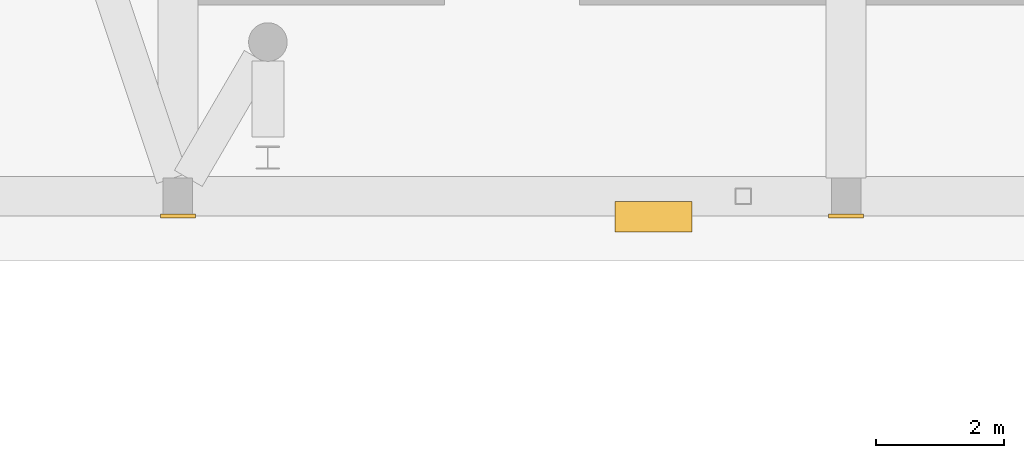
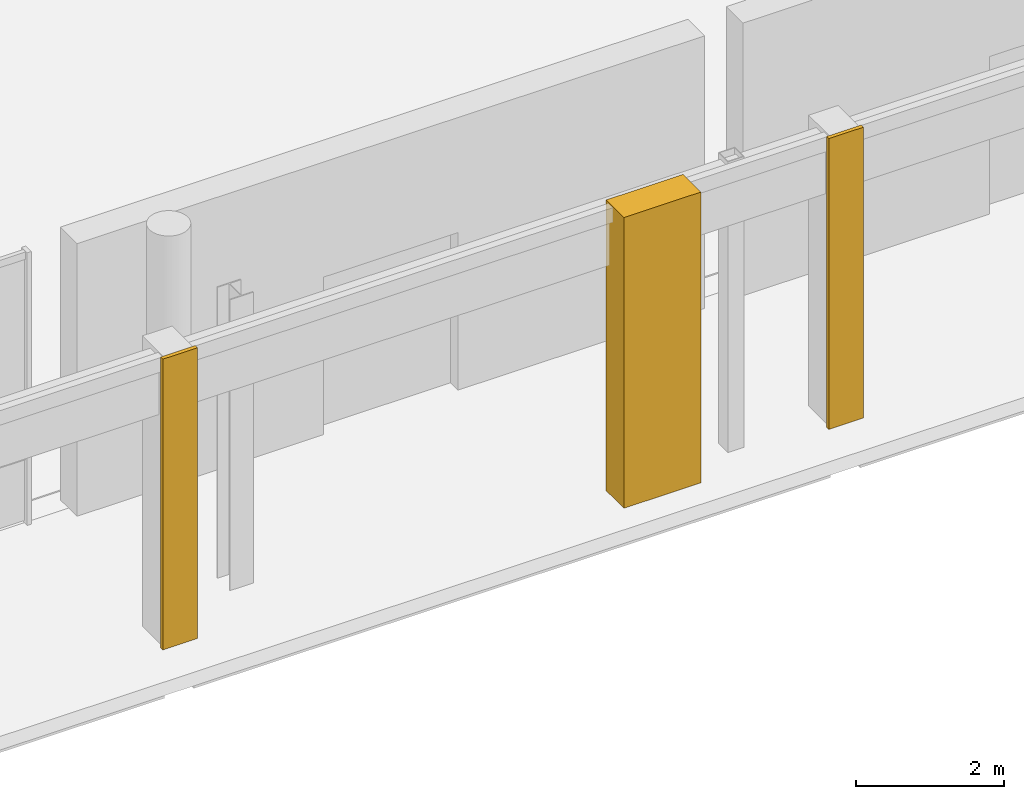
# One storey, part 78 of 88: 3 coverings.
"""IFC4 building model written with IfcOpenShell, lengths in metres."""

from ifc_helpers import new_model, si_unit, derived_unit, direction, frame, origin, origin_2d, place, context, subcontext, project, spatial, rectangle, extrude, material, layer, layer_set, type_object, element, save


model = new_model("IFC4")

# Units and contexts
model_context = context("Model", 3, precision=1e-05, world=origin(), true_north=direction((0.0, 1.0)))
body_context = subcontext(model_context, "Body", "Model", "MODEL_VIEW")
ifc_project = project(units=[si_unit("LENGTHUNIT", "METRE"), si_unit("AREAUNIT", "SQUARE_METRE"), si_unit("VOLUMEUNIT", "CUBIC_METRE"), si_unit("PLANEANGLEUNIT", "RADIAN"), si_unit("MASSUNIT", "GRAM", prefix="KILO"), derived_unit("THERMALTRANSMITTANCEUNIT", [(si_unit("POWERUNIT", "WATT"), 1), (si_unit("LENGTHUNIT", "METRE"), -2), (si_unit("THERMODYNAMICTEMPERATUREUNIT", "KELVIN"), -1)])], contexts=[model_context])

# Site, building, storey
site_placement = place(None, origin())
site = spatial("IfcSite", under=ifc_project, at=site_placement, CompositionType="ELEMENT")
building_placement = place(site_placement, origin())
building = spatial("IfcBuilding", under=site, at=building_placement, Name="Braskholm Square Health Centre", CompositionType="ELEMENT")
storey_placement = place(building_placement, origin())
storey = spatial("IfcBuildingStorey", under=building, at=storey_placement, Name="L01", CompositionType="ELEMENT", Elevation=0.0)

# Coverings
ifc_material_1 = material(Name="Mankato-Kasota dolomitic limestone ashlar", Category="masonry")
ifc_layer_1 = layer(ifc_material_1, 0.090087890625)
ifc_layer_set_1 = layer_set([ifc_layer_1], Name="Mankato-Kasota dolomitic limestone ashlar")
covering_type_1 = type_object("IfcCoveringType", Name="KasotaAshlarBaseCladding", PredefinedType="CLADDING", material=ifc_layer_set_1)
covering_placement = place(storey_placement, frame((75.800048828125, 86.8798828125, 0.0), z_axis=(0.0, 0.0, 1.0), x_axis=(1.0, 0.0, 0.0)))
element("IfcCovering", 1, at=covering_placement, inside=storey, type_object=covering_type_1, Name="Classical Art Deco architectural trim 0887", PredefinedType="CLADDING", context=body_context, shape_type="SweptSolid", body=[
    extrude(rectangle(XDim=1.199951171875, YDim=0.47998046875, at=origin_2d()), origin(), (0.0, 0.0, 1.0), 4.800048828125),
])
ifc_material_2 = material(Name="Precast concrete C40/50 architectural white", Category="concrete")
ifc_layer_2 = layer(ifc_material_2, 0.054931640625)
ifc_layer_set_2 = layer_set([ifc_layer_2], Name="Precast concrete C40/50 architectural white")
covering_type_2 = type_object("IfcCoveringType", Name="PrecastWhiteColumnCasing", PredefinedType="CLADDING", material=ifc_layer_set_2)
for number, where, z_axis, x_axis, name in (
    (2, (68.39990234375, 86.89501953125, 0.0), (0.0, 0.0, 1.0), (1.0, 0.0, 0.0), "Giant-order white precast column casing 0197"),
    (3, (78.800048828125, 86.89501953125, 0.0), (0.0, 0.0, 1.0), (1.0, 0.0, 0.0), "Giant-order white precast column casing 0200"),
):
    element("IfcCovering", number, at=place(storey_placement, frame(where, z_axis=z_axis, x_axis=x_axis)), inside=storey, type_object=covering_type_2, Name=name, PredefinedType="CLADDING", context=body_context, shape_type="SweptSolid", body=[
        extrude(rectangle(XDim=0.5400390625, YDim=0.06005859375, at=origin_2d()), origin(), (0.0, 0.0, 1.0), 4.800048828125),
    ])

save(model, "model.ifc")
